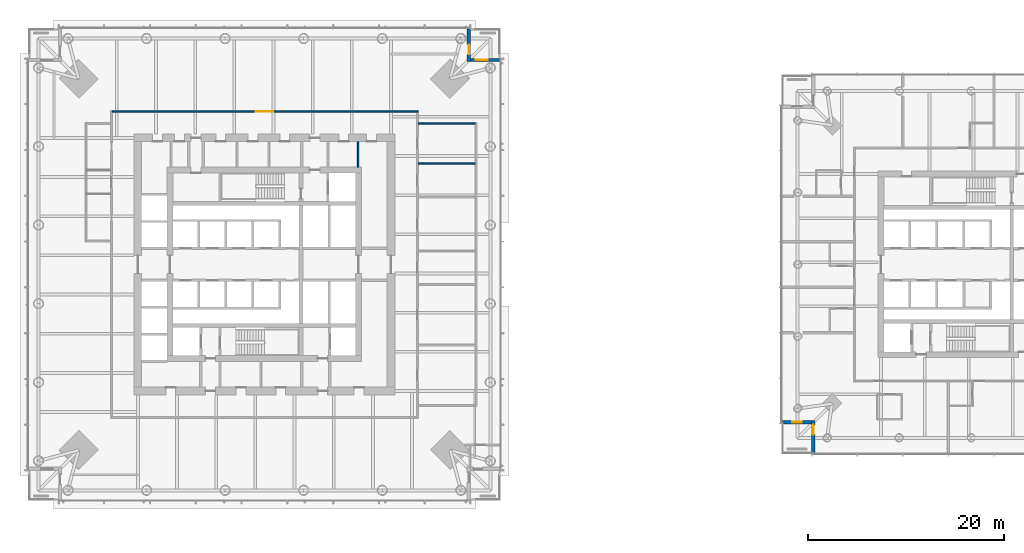
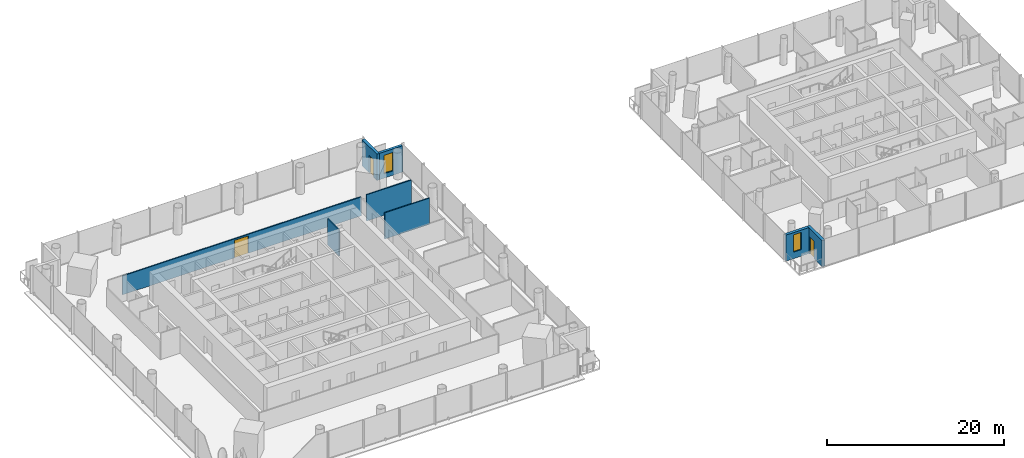
# One storey, part 12 of 26: 8 walls, 3 doors, 2 windows, 5 openings.
"""IFC4 building model written with IfcOpenShell, lengths in metres."""

import ifcopenshell
import ifcopenshell.guid

model = None  # the IFC model being written
_history = None  # IfcOwnerHistory: only IFC2X3 demands one
_inside = {}  # id of a spatial element -> (the spatial element, [elements in it])
_under = {}  # id of a project, library or spatial element -> (it, [spatial elements below it])
_declared = {}  # id of a project -> (the project, [libraries it declares])
_typed = {}  # id of a type object -> (the type object, [elements of that type])
_made_of = {}  # id of a material, layer set ... -> (it, [elements and type objects made of it])


def new_model(schema):
    """Start an empty IFC model of exactly this schema.

    Asked for "IFC4X3", IfcOpenShell would pick the latest addendum, in which some entities
    have other attributes; the version numbers below select the first issue.
    IFC2X3 requires an IfcOwnerHistory on every rooted entity: one is made here for all.
    """
    global model, _history
    if schema == "IFC4X3":
        model = ifcopenshell.file(schema_version=(4, 3, 0, 0))
    else:
        model = ifcopenshell.file(schema=schema)
    _inside.clear()
    _under.clear()
    _declared.clear()
    _typed.clear()
    _made_of.clear()
    _history = None
    if model.schema == "IFC2X3":
        org = make("IfcOrganization", Name="unknown")
        user = make(
            "IfcPersonAndOrganization",
            ThePerson=make("IfcPerson", FamilyName="unknown"),
            TheOrganization=org,
        )
        app = make(
            "IfcApplication",
            ApplicationDeveloper=org,
            Version="unknown",
            ApplicationFullName="unknown",
            ApplicationIdentifier="unknown",
        )
        _history = make(
            "IfcOwnerHistory",
            OwningUser=user,
            OwningApplication=app,
            ChangeAction="ADDED",
            CreationDate=0,
        )
    return model


def make(cls, **values):
    """One entity of the class cls with the attributes given. An attribute that is None is left unset."""
    return model.create_entity(
        cls, **{name: value for name, value in values.items() if value is not None}
    )


def rooted(cls, **values):
    """An entity with a GlobalId (a new one), such as an element, a storey or a relation."""
    return make(cls, GlobalId=ifcopenshell.guid.new(), OwnerHistory=_history, **values)


def si_unit(unit_type, name, prefix=None):
    """IfcSIUnit, for example si_unit("LENGTHUNIT", "METRE", prefix="MILLI")."""
    return make("IfcSIUnit", UnitType=unit_type, Prefix=prefix, Name=name)


def assignment(units):
    """IfcUnitAssignment: the units of a project."""
    return None if units is None else make("IfcUnitAssignment", Units=units)


def point(xyz):
    """IfcCartesianPoint."""
    return None if xyz is None else make("IfcCartesianPoint", Coordinates=xyz)


def direction(xyz):
    """IfcDirection."""
    return None if xyz is None else make("IfcDirection", DirectionRatios=xyz)


def frame(location, z_axis=None, x_axis=None):
    """IfcAxis2Placement3D, a coordinate frame: its origin and axes. An axis left out is left unset."""
    return make(
        "IfcAxis2Placement3D",
        Location=point(location),
        Axis=direction(z_axis),
        RefDirection=direction(x_axis),
    )


def frame_2d(location, x_axis=None):
    """IfcAxis2Placement2D, a coordinate frame in the plane: its origin and x axis."""
    return make(
        "IfcAxis2Placement2D", Location=point(location), RefDirection=direction(x_axis)
    )


def origin():
    """The frame at (0, 0, 0) with its axes left unset."""
    return frame((0.0, 0.0, 0.0))


def place(relative_to, where):
    """IfcLocalPlacement: puts the frame where relative to a parent placement (None: the world)."""
    return make(
        "IfcLocalPlacement", PlacementRelTo=relative_to, RelativePlacement=where
    )


def context(
    kind, dimensions, precision=None, world=None, true_north=None, identifier=None
):
    """IfcGeometricRepresentationContext, for example the 3D "Model" context."""
    return make(
        "IfcGeometricRepresentationContext",
        ContextIdentifier=identifier,
        ContextType=kind,
        CoordinateSpaceDimension=dimensions,
        Precision=precision,
        WorldCoordinateSystem=world,
        TrueNorth=true_north,
    )


def subcontext(parent, identifier, kind, view, scale=None):
    """IfcGeometricRepresentationSubContext, for example "Body" below "Model"."""
    return make(
        "IfcGeometricRepresentationSubContext",
        ContextIdentifier=identifier,
        ContextType=kind,
        ParentContext=parent,
        TargetScale=scale,
        TargetView=view,
    )


def project(units=None, contexts=None):
    """IfcProject with its units and contexts."""
    return rooted(
        "IfcProject",
        Name="project",
        RepresentationContexts=contexts,
        UnitsInContext=assignment(units),
    )


def spatial(cls, under=None, at=None, **own):
    """A site, building, storey or space (cls), placed at a placement, below another one or the project."""
    s = rooted(cls, ObjectPlacement=at, **own)
    if under is not None:
        _under.setdefault(under.id(), (under, []))[1].append(s)
    return s


def profile(cls, at=None, kind="AREA", **sizes):
    """A parametric profile (cls). Its sizes go by their IFC names, for example OverallWidth=200.0."""
    return make(cls, ProfileType=kind, Position=at, **sizes)


def rectangle(**sizes):
    """IfcRectangleProfileDef."""
    return profile("IfcRectangleProfileDef", **sizes)


def extrude(swept, where, along, depth):
    """IfcExtrudedAreaSolid: the profile swept, set in the frame where, extruded along a direction by depth."""
    return make(
        "IfcExtrudedAreaSolid",
        SweptArea=swept,
        Position=where,
        ExtrudedDirection=direction(along),
        Depth=depth,
    )


def shape(context_of_items, identifier, shape_type, items):
    """IfcShapeRepresentation: the items that make up one representation, for example the "Body"."""
    return make(
        "IfcShapeRepresentation",
        ContextOfItems=context_of_items,
        RepresentationIdentifier=identifier,
        RepresentationType=shape_type,
        Items=items,
    )


def material(Name=None, Category=None):
    """IfcMaterial."""
    return make("IfcMaterial", Name=Name, Category=Category)


def layer(
    of_material, thickness, ventilated=None, Name=None, Category=None, Priority=None
):
    """IfcMaterialLayer: one layer of a wall or slab, of a material (None: an air gap)."""
    return make(
        "IfcMaterialLayer",
        Material=of_material,
        LayerThickness=thickness,
        IsVentilated=ventilated,
        Name=Name,
        Category=Category,
        Priority=Priority,
    )


def layer_set(layers, Name=None):
    """IfcMaterialLayerSet."""
    return make("IfcMaterialLayerSet", MaterialLayers=layers, LayerSetName=Name)


def made_of(thing, what):
    """Note that an element or type object is made of a material, layer set ...; save() writes the relation."""
    if what is not None:
        _made_of.setdefault(what.id(), (what, []))[1].append(thing)
    return thing


def type_object(cls, material=None, **own):
    """A type object (cls), such as IfcWallType, which elements share."""
    return made_of(rooted(cls, **own), material)


def element(
    cls,
    number,
    at=None,
    inside=None,
    cuts=None,
    type_object=None,
    material=None,
    context=None,
    identifier="Body",
    shape_type=None,
    held_by="IfcProductDefinitionShape",
    body=None,
    shapes=None,
    **own,
):
    """One element of the class cls, such as IfcWall. Its Tag is "e" and its number.

    at: its placement. inside: the storey or other place that contains it. cuts: it is an
    opening in that element (IfcRelVoidsElement). A single representation is given by context,
    identifier, shape_type and body (its items); several are given by shapes. held_by: the class
    of the entity that holds the representations. save() writes the other relations.
    """
    e = rooted(cls, Tag="e%d" % number, ObjectPlacement=at, **own)
    if body is not None:
        shapes = [shape(context, identifier, shape_type, body)]
    if shapes is not None:
        e.Representation = make(held_by, Representations=shapes)
    if inside is not None:
        _inside.setdefault(inside.id(), (inside, []))[1].append(e)
    if cuts is not None:
        rooted(
            "IfcRelVoidsElement", RelatingBuildingElement=cuts, RelatedOpeningElement=e
        )
    if type_object is not None:
        _typed.setdefault(type_object.id(), (type_object, []))[1].append(e)
    return made_of(e, material)


def fill(opening, filler):
    """IfcRelFillsElement: the door or window that sits in an opening."""
    return rooted(
        "IfcRelFillsElement",
        RelatingOpeningElement=opening,
        RelatedBuildingElement=filler,
    )


def aggregate(whole, parts):
    """IfcRelAggregates: a whole, such as a stair, and the parts it consists of."""
    return rooted("IfcRelAggregates", RelatingObject=whole, RelatedObjects=parts)


def save(model, path):
    """Write the relations noted so far, then the file.

    IfcRelAggregates (storeys below a building ...), IfcRelContainedInSpatialStructure (elements
    in a storey), IfcRelDefinesByType, IfcRelAssociatesMaterial and IfcRelDeclares: one each for
    every whole, place, type object, material and project.
    """
    for whole, parts in _under.values():
        aggregate(whole, parts)
    for where, things in _inside.values():
        rooted(
            "IfcRelContainedInSpatialStructure",
            RelatedElements=things,
            RelatingStructure=where,
        )
    for kind, things in _typed.values():
        rooted("IfcRelDefinesByType", RelatedObjects=things, RelatingType=kind)
    for what, things in _made_of.values():
        rooted("IfcRelAssociatesMaterial", RelatedObjects=things, RelatingMaterial=what)
    for by, libraries in _declared.values():
        rooted("IfcRelDeclares", RelatingContext=by, RelatedDefinitions=libraries)
    model.write(path)


model = new_model("IFC4")

# Units and contexts
model_context = context("Model", 3, precision=1e-05, world=origin(), true_north=direction((0.0, 1.0)))
body_context = subcontext(model_context, "Body", "Model", "MODEL_VIEW")
ifc_project = project(units=[si_unit("LENGTHUNIT", "METRE"), si_unit("AREAUNIT", "SQUARE_METRE"), si_unit("VOLUMEUNIT", "CUBIC_METRE"), si_unit("PLANEANGLEUNIT", "RADIAN"), si_unit("MASSUNIT", "GRAM", prefix="KILO")], contexts=[model_context])

# Site, building, storey
site_placement = place(None, origin())
site = spatial("IfcSite", under=ifc_project, at=site_placement, CompositionType="ELEMENT")
building_placement = place(site_placement, origin())
building = spatial("IfcBuilding", under=site, at=building_placement, Name="Ostroluk Exchange", CompositionType="ELEMENT")
storey_placement = place(building_placement, frame((0.0, 0.0, 51.39990234375)))
storey = spatial("IfcBuildingStorey", under=building, at=storey_placement, Name="L12", CompositionType="ELEMENT", Elevation=51.39990234375)

# Wall
ifc_material_1 = material(Name="Concrete blockwork", Category="masonry")
ifc_layer_1 = layer(ifc_material_1, 0.14990234375)
ifc_layer_set_1 = layer_set([ifc_layer_1], Name="Blockwork plant room wall 150")
wall_type_1 = type_object("IfcWallType", Name="Blockwork plant room wall 150", PredefinedType="SOLIDWALL", material=ifc_layer_set_1)
wall_1_placement = place(storey_placement, frame((54.550048828125, 55.89990234375, 0.0), z_axis=(0.0, 0.0, 1.0), x_axis=(0.0, 1.0, 0.0)))
element("IfcWall", 1, at=wall_1_placement, inside=storey, type_object=wall_type_1, Name="Core room wall", PredefinedType="SOLIDWALL", context=body_context, shape_type="SweptSolid", body=[
    extrude(rectangle(XDim=2.60009765625, YDim=0.14990234375, at=frame_2d((1.300048828125, 0.0))), origin(), (0.0, 0.0, 1.0), 3.6201171875),
])

# Wall, opening, door
ifc_material_2 = material(Name="Limestone", Category="masonry")
ifc_layer_2 = layer(ifc_material_2, 0.35009765625)
ifc_layer_set_2 = layer_set([ifc_layer_2], Name="Limestone facade wall 350")
wall_type_2 = type_object("IfcWallType", Name="Limestone facade wall 350", PredefinedType="SOLIDWALL", material=ifc_layer_set_2)
wall_2_placement = place(storey_placement, frame((65.824951171875, 70.0, 0.0), z_axis=(0.0, 0.0, 1.0), x_axis=(0.0, -1.0, 0.0)))
wall_2 = element("IfcWall", 2, at=wall_2_placement, inside=storey, type_object=wall_type_2, Name="Office tower NE corner wall L12 a", PredefinedType="SOLIDWALL", context=body_context, shape_type="SweptSolid", body=[
    extrude(rectangle(XDim=3.35009765625, YDim=0.35009765625, at=frame_2d((1.675048828125, 0.0))), origin(), (0.0, 0.0, 1.0), 3.6201171875),
])
opening_1_placement = place(wall_2_placement, frame((1.60009765625, 0.0, 0.0)))
opening_1 = element("IfcOpeningElement", 3, at=opening_1_placement, cuts=wall_2, Name="Opening D-B1", PredefinedType="OPENING", context=body_context, shape_type="SweptSolid", body=[
    extrude(rectangle(XDim=1.0, YDim=2.39990234375, at=frame_2d((0.5, 1.199951171875))), frame((0.0, 0.18505859375, 0.0), z_axis=(0.0, -1.0, 0.0), x_axis=(1.0, 0.0, 0.0)), (0.0, 0.0, 1.0), 0.3701171875),
])
ifc_material_3 = material(Name="Bronze framed glazed door", Category="aluminium")
door_type_1 = type_object("IfcDoorType", Name="Balcony door 1000 x 2400", OperationType="SINGLE_SWING_LEFT", PredefinedType="DOOR", material=ifc_material_3)
door_1_placement = place(opening_1_placement, origin())
door_1 = element("IfcDoor", 4, at=door_1_placement, inside=storey, type_object=door_type_1, Name="Office tower NE balcony door L12", OperationType="SINGLE_SWING_RIGHT", OverallHeight=2.39990234375, OverallWidth=1.0, PredefinedType="DOOR", context=body_context, shape_type="SweptSolid", body=[
    extrude(rectangle(XDim=1.0, YDim=2.39990234375, at=frame_2d((0.5, 1.199951171875))), frame((0.0, 0.02490234375, 0.0), z_axis=(0.0, -1.0, 0.0), x_axis=(1.0, 0.0, 0.0)), (0.0, 0.0, 1.0), 0.050048828125),
])
fill(opening_1, door_1)

# Wall, opening, window
wall_3_placement = place(storey_placement, frame((66.0, 66.824951171875, 0.0), z_axis=(0.0, 0.0, 1.0), x_axis=(1.0, 0.0, 0.0)))
wall_3 = element("IfcWall", 5, at=wall_3_placement, inside=storey, type_object=wall_type_2, Name="Office tower NE corner wall L12 b", PredefinedType="SOLIDWALL", context=body_context, shape_type="SweptSolid", body=[
    extrude(rectangle(XDim=3.0, YDim=0.35009765625, at=frame_2d((1.5, 0.0))), origin(), (0.0, 0.0, 1.0), 3.6201171875),
])
opening_2_placement = place(wall_3_placement, frame((0.550048828125, 0.0, 0.60009765625)))
opening_2 = element("IfcOpeningElement", 6, at=opening_2_placement, cuts=wall_3, Name="Opening WN-L1", PredefinedType="OPENING", context=body_context, shape_type="SweptSolid", body=[
    extrude(rectangle(XDim=1.199951171875, YDim=2.550048828125, at=frame_2d((0.60009765625, 1.27490234375))), frame((0.0, 0.18505859375, 0.0), z_axis=(0.0, -1.0, 0.0), x_axis=(1.0, 0.0, 0.0)), (0.0, 0.0, 1.0), 0.3701171875),
])
ifc_material_4 = material(Name="Laminated clear glass", Category="glass")
window_type_1 = type_object("IfcWindowType", Name="Lancet window 1200 x 2550", PartitioningType="SINGLE_PANEL", PredefinedType="WINDOW", material=ifc_material_4)
window_1_placement = place(opening_2_placement, origin())
window_1 = element("IfcWindow", 7, at=window_1_placement, inside=storey, type_object=window_type_1, Name="Office tower NE lancet window L12", OverallHeight=2.550048828125, OverallWidth=1.199951171875, PartitioningType="SINGLE_PANEL", PredefinedType="WINDOW", context=body_context, shape_type="SweptSolid", body=[
    extrude(rectangle(XDim=1.199951171875, YDim=2.550048828125, at=frame_2d((0.60009765625, 1.27490234375))), frame((0.0, 0.030029296875, 0.0), z_axis=(0.0, -1.0, 0.0), x_axis=(1.0, 0.0, 0.0)), (0.0, 0.0, 1.0), 0.06005859375),
])
fill(opening_2, window_1)

# Wall, opening, door
wall_4_placement = place(storey_placement, frame((100.925048828125, 26.75, 0.0), z_axis=(0.0, 0.0, 1.0), x_axis=(0.0, 1.0, 0.0)))
wall_4 = element("IfcWall", 8, at=wall_4_placement, inside=storey, type_object=wall_type_2, Name="Hotel tower SW corner wall L12 a", PredefinedType="SOLIDWALL", context=body_context, shape_type="SweptSolid", body=[
    extrude(rectangle(XDim=3.35009765625, YDim=0.35009765625, at=frame_2d((1.675048828125, 0.0))), origin(), (0.0, 0.0, 1.0), 3.60009765625),
])
opening_3_placement = place(wall_4_placement, frame((1.89990234375, 0.0, 0.0)))
opening_3 = element("IfcOpeningElement", 9, at=opening_3_placement, cuts=wall_4, Name="Opening D-B1", PredefinedType="OPENING", context=body_context, shape_type="SweptSolid", body=[
    extrude(rectangle(XDim=1.0, YDim=2.39990234375, at=frame_2d((0.5, 1.199951171875))), frame((0.0, 0.18505859375, 0.0), z_axis=(0.0, -1.0, 0.0), x_axis=(1.0, 0.0, 0.0)), (0.0, 0.0, 1.0), 0.3701171875),
])
door_2_placement = place(opening_3_placement, origin())
door_2 = element("IfcDoor", 10, at=door_2_placement, inside=storey, type_object=door_type_1, Name="Hotel tower SW balcony door L12", OperationType="SINGLE_SWING_RIGHT", OverallHeight=2.39990234375, OverallWidth=1.0, PredefinedType="DOOR", context=body_context, shape_type="SweptSolid", body=[
    extrude(rectangle(XDim=1.0, YDim=2.39990234375, at=frame_2d((0.5, 1.199951171875))), frame((0.0, 0.02490234375, 0.0), z_axis=(0.0, -1.0, 0.0), x_axis=(1.0, 0.0, 0.0)), (0.0, 0.0, 1.0), 0.050048828125),
])
fill(opening_3, door_2)

# Wall, opening, window
wall_5_placement = place(storey_placement, frame((100.75, 29.925048828125, 0.0), z_axis=(0.0, 0.0, 1.0), x_axis=(-1.0, 0.0, 0.0)))
wall_5 = element("IfcWall", 11, at=wall_5_placement, inside=storey, type_object=wall_type_2, Name="Hotel tower SW corner wall L12 b", PredefinedType="SOLIDWALL", context=body_context, shape_type="SweptSolid", body=[
    extrude(rectangle(XDim=3.0, YDim=0.35009765625, at=frame_2d((1.5, 0.0))), origin(), (0.0, 0.0, 1.0), 3.60009765625),
])
opening_4_placement = place(wall_5_placement, frame((1.0, 0.0, 0.89990234375)))
opening_4 = element("IfcOpeningElement", 12, at=opening_4_placement, cuts=wall_5, Name="Opening WN-L3", PredefinedType="OPENING", context=body_context, shape_type="SweptSolid", body=[
    extrude(rectangle(XDim=1.0, YDim=2.39990234375, at=frame_2d((0.5, 1.199951171875))), frame((0.0, 0.18505859375, 0.0), z_axis=(0.0, -1.0, 0.0), x_axis=(1.0, 0.0, 0.0)), (0.0, 0.0, 1.0), 0.3701171875),
])
ifc_material_5 = material(Name="Laminated clear glass", Category="glass")
window_type_2 = type_object("IfcWindowType", Name="Hotel lancet window 1000 x 2400", PartitioningType="SINGLE_PANEL", PredefinedType="WINDOW", material=ifc_material_5)
window_2_placement = place(opening_4_placement, origin())
window_2 = element("IfcWindow", 13, at=window_2_placement, inside=storey, type_object=window_type_2, Name="Hotel tower SW lancet window L12", OverallHeight=2.39990234375, OverallWidth=1.0, PartitioningType="SINGLE_PANEL", PredefinedType="WINDOW", context=body_context, shape_type="SweptSolid", body=[
    extrude(rectangle(XDim=1.0, YDim=2.39990234375, at=frame_2d((0.5, 1.199951171875))), frame((0.0, 0.030029296875, 0.0), z_axis=(0.0, -1.0, 0.0), x_axis=(1.0, 0.0, 0.0)), (0.0, 0.0, 1.0), 0.06005859375),
])
fill(opening_4, window_2)

# Walls
ifc_material_6 = material(Name="Gypsum plasterboard partition", Category="gypsum")
ifc_layer_3 = layer(ifc_material_6, 0.14990234375)
ifc_layer_set_3 = layer_set([ifc_layer_3], Name="Plasterboard partition 150")
wall_type_3 = type_object("IfcWallType", Name="Plasterboard partition 150", PredefinedType="PARTITIONING", material=ifc_layer_set_3)
for number, where, z_axis, x_axis, name in (
    (14, (60.64990234375, 56.267822265625, 0.0), (0.0, 0.0, 1.0), (1.0, 0.0, 0.0), "Partition"),
    (15, (60.64990234375, 60.375, 0.0), (0.0, 0.0, 1.0), (1.0, 0.0, 0.0), "Partition"),
):
    element("IfcWall", number, at=place(storey_placement, frame(where, z_axis=z_axis, x_axis=x_axis)), inside=storey, type_object=wall_type_3, Name=name, PredefinedType="PARTITIONING", context=body_context, shape_type="SweptSolid", body=[
        extrude(rectangle(XDim=5.85009765625, YDim=0.14990234375, at=frame_2d((2.925048828125, 0.0))), origin(), (0.0, 0.0, 1.0), 3.6201171875),
    ])

# Wall, opening, door
wall_6_placement = place(storey_placement, frame((60.64990234375, 61.574951171875, 0.0), z_axis=(0.0, 0.0, 1.0), x_axis=(-1.0, 0.0, 0.0)))
wall_6 = element("IfcWall", 16, at=wall_6_placement, inside=storey, type_object=wall_type_3, Name="Corridor wall", PredefinedType="PARTITIONING", context=body_context, shape_type="SweptSolid", body=[
    extrude(rectangle(XDim=31.14990234375, YDim=0.14990234375, at=frame_2d((15.574951171875, 0.0))), origin(), (0.0, 0.0, 1.0), 2.612060546875),
])
opening_5_placement = place(wall_6_placement, frame((14.75, 0.0, 0.0)))
opening_5 = element("IfcOpeningElement", 17, at=opening_5_placement, cuts=wall_6, Name="Opening D-04", PredefinedType="OPENING", context=body_context, shape_type="SweptSolid", body=[
    extrude(rectangle(XDim=1.800048828125, YDim=2.39990234375, at=frame_2d((0.89990234375, 1.199951171875))), frame((0.0, 0.0849609375, 0.0), z_axis=(0.0, -1.0, 0.0), x_axis=(1.0, 0.0, 0.0)), (0.0, 0.0, 1.0), 0.169921875),
])
ifc_material_7 = material(Name="Timber", Category="wood")
door_type_2 = type_object("IfcDoorType", Name="Double door 1800 x 2400", OperationType="DOUBLE_DOOR_SINGLE_SWING", PredefinedType="DOOR", material=ifc_material_7)
door_3_placement = place(opening_5_placement, origin())
door_3 = element("IfcDoor", 18, at=door_3_placement, inside=storey, type_object=door_type_2, Name="Open plan office door", OperationType="DOUBLE_DOOR_SINGLE_SWING", OverallHeight=2.39990234375, OverallWidth=1.800048828125, PredefinedType="DOOR", context=body_context, shape_type="SweptSolid", body=[
    extrude(rectangle(XDim=1.800048828125, YDim=2.39990234375, at=frame_2d((0.89990234375, 1.199951171875))), frame((0.0, 0.02490234375, 0.0), z_axis=(0.0, -1.0, 0.0), x_axis=(1.0, 0.0, 0.0)), (0.0, 0.0, 1.0), 0.050048828125),
])
fill(opening_5, door_3)

save(model, "model.ifc")
